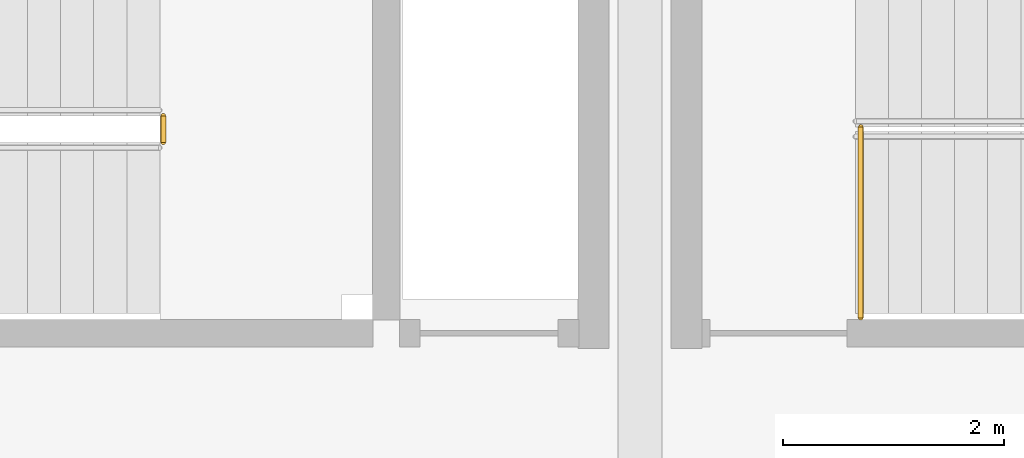
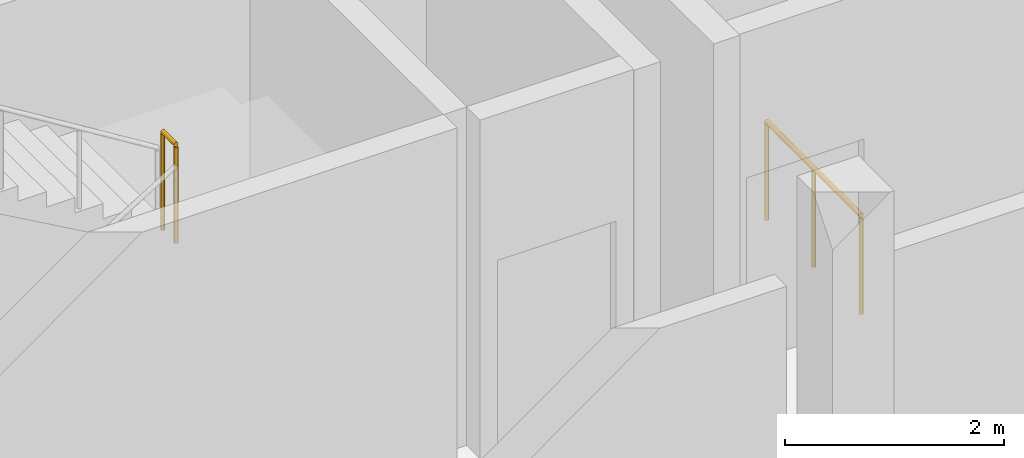
# One storey, part 124 of 134: 2 railings.
"""IFC4 building model written with IfcOpenShell, lengths in metres."""

from ifc_helpers import new_model, si_unit, direction, frame, origin, origin_2d, place, context, subcontext, project, spatial, circle, extrude, material, type_object, element, save


model = new_model("IFC4")

# Units and contexts
model_context = context("Model", 3, precision=1e-05, world=origin(), true_north=direction((0.0, 1.0)))
body_context = subcontext(model_context, "Body", "Model", "MODEL_VIEW")
ifc_project = project(units=[si_unit("LENGTHUNIT", "METRE"), si_unit("AREAUNIT", "SQUARE_METRE"), si_unit("VOLUMEUNIT", "CUBIC_METRE"), si_unit("PLANEANGLEUNIT", "RADIAN"), si_unit("MASSUNIT", "GRAM", prefix="KILO")], contexts=[model_context])

# Site, building, storey
site_placement = place(None, origin())
site = spatial("IfcSite", under=ifc_project, at=site_placement, CompositionType="ELEMENT")
building_placement = place(site_placement, origin())
building = spatial("IfcBuilding", under=site, at=building_placement, Name="Asteropetra Specialist Clinic", CompositionType="ELEMENT")
storey_placement = place(building_placement, frame((0.0, 0.0, 8.5)))
storey = spatial("IfcBuildingStorey", under=building, at=storey_placement, Name="L02", CompositionType="ELEMENT", Elevation=8.5)

# Railings
ifc_material = material(Name="Steel S355 and laminated glass guard", Category="steel")
railing_type = type_object("IfcRailingType", Name="GRD-INT-1120", PredefinedType="GUARDRAIL", material=ifc_material)
railing_1_placement = place(storey_placement, frame((126.800048828125, 43.97998046875, 0.0)))
element("IfcRailing", 1, at=railing_1_placement, inside=storey, type_object=railing_type, Name="Stair Well Guard ST09-L01", PredefinedType="GUARDRAIL", context=body_context, shape_type="SweptSolid", body=[
    extrude(circle(Radius=0.02392578125, at=origin_2d()), frame((0.0, 0.0, 1.09619140625), z_axis=(0.0, 1.0, 0.0), x_axis=(-1.0, 0.0, 0.0)), (0.0, 0.0, 1.0), 1.72998046875),
    extrude(circle(Radius=0.02099609375, at=origin_2d()), origin(), (0.0, 0.0, 1.0), 1.072021484375),
    extrude(circle(Radius=0.02099609375, at=origin_2d()), frame((0.0, 0.864990234375, 0.0)), (0.0, 0.0, 1.0), 1.072021484375),
    extrude(circle(Radius=0.02099609375, at=origin_2d()), frame((0.0, 1.72998046875, 0.0)), (0.0, 0.0, 1.0), 1.072021484375),
])
railing_2_placement = place(storey_placement, frame((120.47998046875, 45.570068359375, 2.0400390625)))
element("IfcRailing", 2, at=railing_2_placement, inside=storey, type_object=railing_type, Name="Landing Slot Guard ST10-L02", PredefinedType="GUARDRAIL", context=body_context, shape_type="SweptSolid", body=[
    extrude(circle(Radius=0.02392578125, at=origin_2d()), frame((0.0, 0.0, 1.09619140625), z_axis=(0.0, 1.0, 0.0), x_axis=(-1.0, 0.0, 0.0)), (0.0, 0.0, 1.0), 0.239990234375),
    extrude(circle(Radius=0.02099609375, at=origin_2d()), origin(), (0.0, 0.0, 1.0), 1.072021484375),
    extrude(circle(Radius=0.02099609375, at=origin_2d()), frame((0.0, 0.239990234375, 0.0)), (0.0, 0.0, 1.0), 1.072021484375),
])

save(model, "model.ifc")
